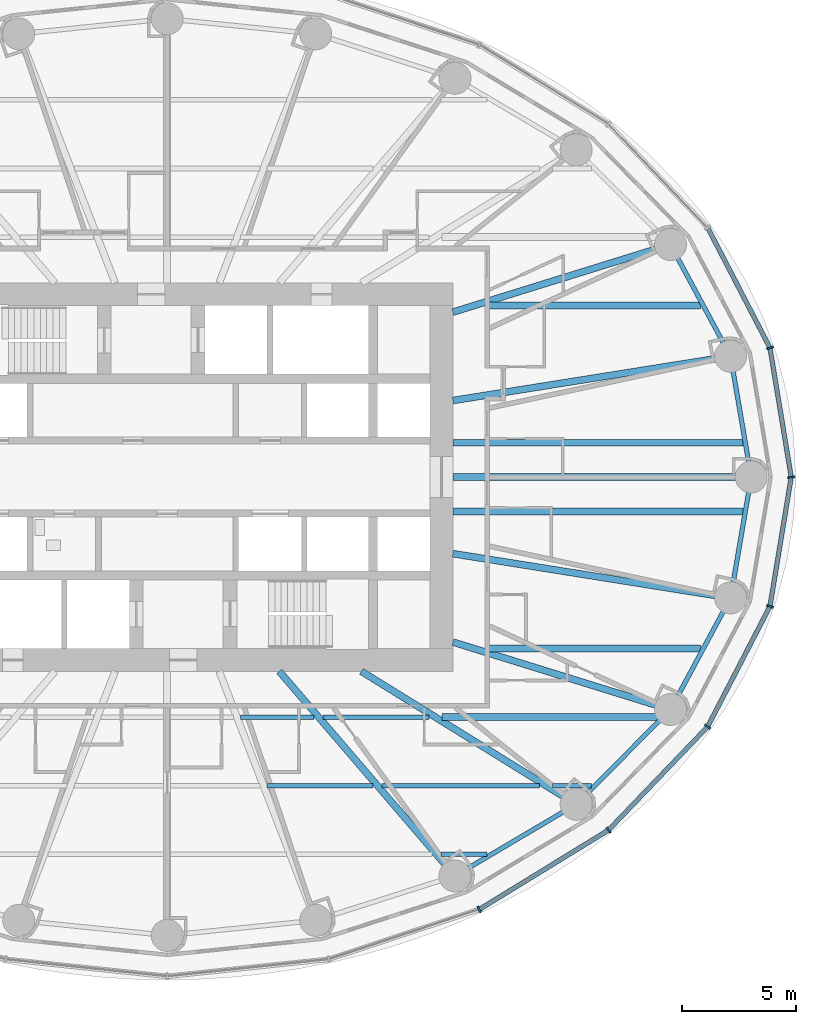
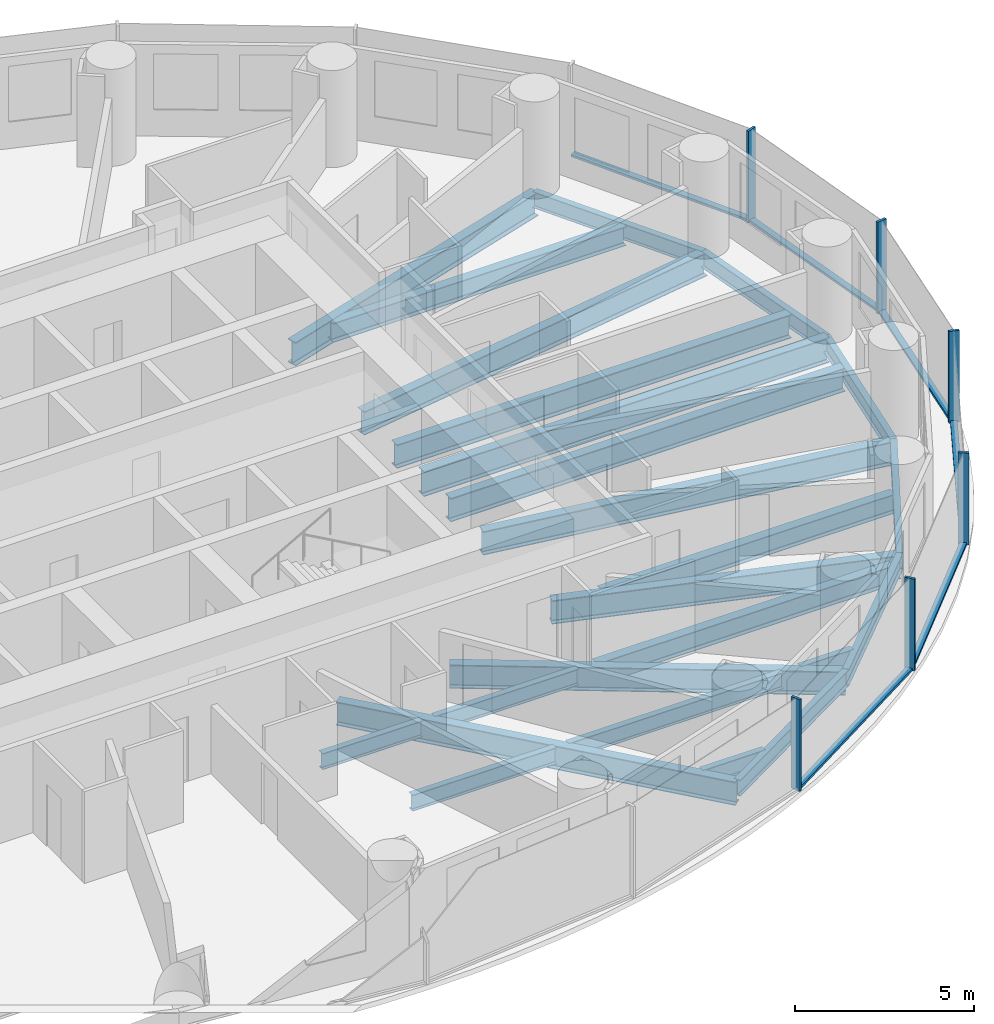
# One storey, part 3 of 16: 24 beams, 12 members, 2 elements without a shape of their own.
"""IFC4 building model written with IfcOpenShell, lengths in metres."""

from ifc_helpers import new_model, si_unit, direction, frame, origin, origin_2d, place, context, subcontext, project, spatial, rectangle, i_section, extrude, material, material_profile, profile_set, type_object, element, aggregate, save


model = new_model("IFC4")

# Units and contexts
model_context = context("Model", 3, precision=1e-05, world=origin(), true_north=direction((0.0, 1.0)))
body_context = subcontext(model_context, "Body", "Model", "MODEL_VIEW")
ifc_project = project(units=[si_unit("LENGTHUNIT", "METRE"), si_unit("AREAUNIT", "SQUARE_METRE"), si_unit("VOLUMEUNIT", "CUBIC_METRE"), si_unit("PLANEANGLEUNIT", "RADIAN"), si_unit("MASSUNIT", "GRAM", prefix="KILO")], contexts=[model_context])

# Site, building, storey
site_placement = place(None, origin())
site = spatial("IfcSite", under=ifc_project, at=site_placement, CompositionType="ELEMENT")
building_placement = place(site_placement, origin())
building = spatial("IfcBuilding", under=site, at=building_placement, Name="Hankou Lantern Tower", CompositionType="ELEMENT")
storey_placement = place(building_placement, frame((0.0, 0.0, 77.10009765625)))
storey = spatial("IfcBuildingStorey", under=building, at=storey_placement, Name="L19", CompositionType="ELEMENT", Elevation=77.10009765625)

# Beams
ifc_material_1 = material(Name="Steel Q355B", Category="steel")
ifc_material_profile_1 = material_profile(ifc_material_1, i_section(OverallWidth=0.199951171875, OverallDepth=0.550048828125, WebThickness=0.010009765625, FlangeThickness=0.01611328125, FilletRadius=0.012939453125, at=origin_2d()), Name="HN550x200x10x16")
ifc_profile_set_1 = profile_set([ifc_material_profile_1], Name="Steel Q355B")
beam_type_1 = type_object("IfcBeamType", Name="EB6 RING BEAM HN550x200x10x16", PredefinedType="SPANDREL", material=ifc_profile_set_1)
beam_1_placement = place(storey_placement, frame((25.550048828125, 0.0, -0.455078125), z_axis=(-0.168489691988, 0.985703415685, 0.0), x_axis=(-0.985703415685, -0.168489691988, 0.0)))
element("IfcBeam", 1, at=beam_1_placement, inside=storey, type_object=beam_type_1, Name="Ring beam R01-R02 L19", PredefinedType="SPANDREL", context=body_context, shape_type="SweptSolid", body=[
    extrude(i_section(OverallWidth=0.199951171875, OverallDepth=0.550048828125, WebThickness=0.010009765625, FlangeThickness=0.01611328125, FilletRadius=0.012939453125, at=origin_2d()), origin(), (0.0, 0.0, 1.0), 5.35986328125),
])
beam_2_placement = place(storey_placement, frame((24.64697265625, 5.283203125, -0.455078125), z_axis=(-0.473609096023, 0.880735161194, 0.0), x_axis=(-0.880735161194, -0.473609096023, 0.0)))
element("IfcBeam", 2, at=beam_2_placement, inside=storey, type_object=beam_type_1, Name="Ring beam R02-R03 L19", PredefinedType="SPANDREL", context=body_context, shape_type="SweptSolid", body=[
    extrude(i_section(OverallWidth=0.199951171875, OverallDepth=0.550048828125, WebThickness=0.010009765625, FlangeThickness=0.01611328125, FilletRadius=0.012939453125, at=origin_2d()), origin(), (0.0, 0.0, 1.0), 5.548828125),
])
beam_3_placement = place(storey_placement, frame((12.5908203125, -17.446533203125, -0.455078125), z_axis=(0.860881533543, 0.508805449268, 0.0), x_axis=(-0.508805449268, 0.860881533543, 0.0)))
element("IfcBeam", 3, at=beam_3_placement, inside=storey, type_object=beam_type_1, Name="Ring beam R21-R22 L19", PredefinedType="SPANDREL", context=body_context, shape_type="SweptSolid", body=[
    extrude(i_section(OverallWidth=0.199951171875, OverallDepth=0.550048828125, WebThickness=0.010009765625, FlangeThickness=0.01611328125, FilletRadius=0.012939453125, at=origin_2d()), origin(), (0.0, 0.0, 1.0), 6.15771484375),
])
beam_4_placement = place(storey_placement, frame((17.891845703125, -14.3134765625, -0.455078125), z_axis=(0.705727798394, 0.708483079949, 0.0), x_axis=(-0.708483079949, 0.705727798394, 0.0)))
element("IfcBeam", 4, at=beam_4_placement, inside=storey, type_object=beam_type_1, Name="Ring beam R22-R23 L19", PredefinedType="SPANDREL", context=body_context, shape_type="SweptSolid", body=[
    extrude(i_section(OverallWidth=0.199951171875, OverallDepth=0.550048828125, WebThickness=0.010009765625, FlangeThickness=0.01611328125, FilletRadius=0.012939453125, at=origin_2d()), origin(), (0.0, 0.0, 1.0), 5.84814453125),
])
beam_5_placement = place(storey_placement, frame((22.01904296875, -10.170166015625, -0.455078125), z_axis=(0.473609096023, 0.880735161194, 0.0), x_axis=(-0.880735161194, 0.473609096023, 0.0)))
element("IfcBeam", 5, at=beam_5_placement, inside=storey, type_object=beam_type_1, Name="Ring beam R23-R24 L19", PredefinedType="SPANDREL", context=body_context, shape_type="SweptSolid", body=[
    extrude(i_section(OverallWidth=0.199951171875, OverallDepth=0.550048828125, WebThickness=0.010009765625, FlangeThickness=0.01611328125, FilletRadius=0.012939453125, at=origin_2d()), origin(), (0.0, 0.0, 1.0), 5.548828125),
])
beam_6_placement = place(storey_placement, frame((24.64697265625, -5.283203125, -0.455078125), z_axis=(0.168489691988, 0.985703415685, 0.0), x_axis=(-0.985703415685, 0.168489691988, 0.0)))
element("IfcBeam", 6, at=beam_6_placement, inside=storey, type_object=beam_type_1, Name="Ring beam R24-R01 L19", PredefinedType="SPANDREL", context=body_context, shape_type="SweptSolid", body=[
    extrude(i_section(OverallWidth=0.199951171875, OverallDepth=0.550048828125, WebThickness=0.010009765625, FlangeThickness=0.01611328125, FilletRadius=0.012939453125, at=origin_2d()), origin(), (0.0, 0.0, 1.0), 5.35986328125),
])

# Curtain wall, members
ifc_material_2 = material(Name="Glass, dark grey tinted laminated", Category="glass")
curtain_wall_type = type_object("IfcCurtainWallType", Name="CWA OUTER SKIN LOW-RISE", PredefinedType="USERDEFINED", material=ifc_material_2)
curtain_wall_1_placement = place(storey_placement, origin())
curtain_wall_1 = element("IfcCurtainWall", 7, at=curtain_wall_1_placement, inside=storey, type_object=curtain_wall_type, Name="CWA L19 OS1", ObjectType="OUTER SKIN LOW-RISE", PredefinedType="USERDEFINED")
ifc_material_3 = material(Name="Aluminium, black anodised", Category="aluminium")
ifc_material_profile_2 = material_profile(ifc_material_3, rectangle(XDim=0.080078125, YDim=0.300048828125, at=origin_2d()), Name="MU1 80X300")
ifc_profile_set_2 = profile_set([ifc_material_profile_2], Name="Aluminium, black anodised")
member_type_1 = type_object("IfcMemberType", Name="MU1 OUTER SKIN MULLION 80X300", PredefinedType="MULLION", material=ifc_profile_set_2)
member_1_placement = place(storey_placement, frame((27.300048828125, 0.0, 0.0), z_axis=(0.0, 0.0, 1.0), x_axis=(-0.162381515188, 0.986728049427, 0.0)))
member_1 = element("IfcMember", 8, at=member_1_placement, type_object=member_type_1, Name="CWA mullion 1", PredefinedType="MULLION", context=body_context, shape_type="SweptSolid", body=[
    extrude(rectangle(XDim=0.080078125, YDim=0.300048828125, at=origin_2d()), origin(), (0.0, 0.0, 1.0), 3.119873046875),
])
member_2_placement = place(storey_placement, frame((26.369873046875, 5.652587890625, 0.0), z_axis=(0.0, 0.0, 1.0), x_axis=(-0.317595577365, 0.94822626479, 0.0)))
member_2 = element("IfcMember", 9, at=member_2_placement, type_object=member_type_1, Name="CWA mullion 2", PredefinedType="MULLION", context=body_context, shape_type="SweptSolid", body=[
    extrude(rectangle(XDim=0.080078125, YDim=0.300048828125, at=origin_2d()), origin(), (0.0, 0.0, 1.0), 3.119873046875),
])

curtain_wall_2_placement = place(storey_placement, origin())
curtain_wall_2 = element("IfcCurtainWall", 10, at=curtain_wall_2_placement, inside=storey, type_object=curtain_wall_type, Name="CWA L19 OS4", ObjectType="OUTER SKIN LOW-RISE", PredefinedType="USERDEFINED")
member_3_placement = place(storey_placement, frame((13.64990234375, -18.9140625, 0.0), z_axis=(0.0, 0.0, 1.0), x_axis=(0.907841299004, 0.419313934686, 0.0)))
member_3 = element("IfcMember", 11, at=member_3_placement, type_object=member_type_1, Name="CWA mullion 3", PredefinedType="MULLION", context=body_context, shape_type="SweptSolid", body=[
    extrude(rectangle(XDim=0.080078125, YDim=0.300048828125, at=origin_2d()), origin(), (0.0, 0.0, 1.0), 3.119873046875),
])
member_4_placement = place(storey_placement, frame((19.303955078125, -15.443115234375, 0.0), z_axis=(0.0, 0.0, 1.0), x_axis=(0.780868809444, 0.624695047553, 0.0)))
member_4 = element("IfcMember", 12, at=member_4_placement, type_object=member_type_1, Name="CWA mullion 4", PredefinedType="MULLION", context=body_context, shape_type="SweptSolid", body=[
    extrude(rectangle(XDim=0.080078125, YDim=0.300048828125, at=origin_2d()), origin(), (0.0, 0.0, 1.0), 3.119873046875),
])
member_5_placement = place(storey_placement, frame((23.642578125, -10.919921875, 0.0), z_axis=(0.0, 0.0, 1.0), x_axis=(0.585205735974, 0.810884854084, 0.0)))
member_5 = element("IfcMember", 13, at=member_5_placement, type_object=member_type_1, Name="CWA mullion 5", PredefinedType="MULLION", context=body_context, shape_type="SweptSolid", body=[
    extrude(rectangle(XDim=0.080078125, YDim=0.300048828125, at=origin_2d()), origin(), (0.0, 0.0, 1.0), 3.119873046875),
])
member_6_placement = place(storey_placement, frame((26.369873046875, -5.652587890625, 0.0), z_axis=(0.0, 0.0, 1.0), x_axis=(0.317595577365, 0.94822626479, 0.0)))
member_6 = element("IfcMember", 14, at=member_6_placement, type_object=member_type_1, Name="CWA mullion 6", PredefinedType="MULLION", context=body_context, shape_type="SweptSolid", body=[
    extrude(rectangle(XDim=0.080078125, YDim=0.300048828125, at=origin_2d()), origin(), (0.0, 0.0, 1.0), 3.119873046875),
])

# Beams
ifc_material_4 = material(Name="Steel Q355B", Category="steel")
ifc_material_profile_3 = material_profile(ifc_material_4, i_section(OverallWidth=0.300048828125, OverallDepth=0.800048828125, WebThickness=0.013916015625, FlangeThickness=0.02587890625, FilletRadius=0.01806640625, at=origin_2d()), Name="HN800x300x14x26")
ifc_profile_set_3 = profile_set([ifc_material_profile_3], Name="Steel Q355B")
beam_type_2 = type_object("IfcBeamType", Name="RB11 RADIAL BEAM HN800x300x14x26", PredefinedType="BEAM", material=ifc_profile_set_3)
beam_7_placement = place(storey_placement, frame((12.5, 3.349365234375, -0.580078125), z_axis=(0.987563081343, 0.157223281893, 0.0), x_axis=(-0.157223281893, 0.987563081343, 0.0)))
element("IfcBeam", 15, at=beam_7_placement, inside=storey, type_object=beam_type_2, Name="Radial beam R02 L19", PredefinedType="BEAM", context=body_context, shape_type="SweptSolid", body=[
    extrude(i_section(OverallWidth=0.300048828125, OverallDepth=0.800048828125, WebThickness=0.013916015625, FlangeThickness=0.02587890625, FilletRadius=0.01806640625, at=origin_2d()), origin(), (0.0, 0.0, 1.0), 12.300048828125),
])
beam_8_placement = place(storey_placement, frame((12.5, 7.216796875, -0.580078125), z_axis=(0.955087327755, 0.29632447817, 0.0), x_axis=(-0.29632447817, 0.955087327755, 0.0)))
element("IfcBeam", 16, at=beam_8_placement, inside=storey, type_object=beam_type_2, Name="Radial beam R03 L19", PredefinedType="BEAM", context=body_context, shape_type="SweptSolid", body=[
    extrude(i_section(OverallWidth=0.300048828125, OverallDepth=0.800048828125, WebThickness=0.013916015625, FlangeThickness=0.02587890625, FilletRadius=0.01806640625, at=origin_2d()), origin(), (0.0, 0.0, 1.0), 9.966552734375),
])
beam_9_placement = place(storey_placement, frame((4.907470703125, -8.5, -0.580078125), z_axis=(0.651519061225, -0.758632264579, 0.0), x_axis=(0.758632264579, 0.651519061225, 0.0)))
element("IfcBeam", 17, at=beam_9_placement, inside=storey, type_object=beam_type_2, Name="Radial beam R21 L19", PredefinedType="BEAM", context=body_context, shape_type="SweptSolid", body=[
    extrude(i_section(OverallWidth=0.300048828125, OverallDepth=0.800048828125, WebThickness=0.013916015625, FlangeThickness=0.02587890625, FilletRadius=0.01806640625, at=origin_2d()), origin(), (0.0, 0.0, 1.0), 11.79296875),
])
beam_10_placement = place(storey_placement, frame((8.5, -8.5, -0.580078125), z_axis=(0.850286343288, -0.526320372414, 0.0), x_axis=(0.526320372414, 0.850286343288, 0.0)))
element("IfcBeam", 18, at=beam_10_placement, inside=storey, type_object=beam_type_2, Name="Radial beam R22 L19", PredefinedType="BEAM", context=body_context, shape_type="SweptSolid", body=[
    extrude(i_section(OverallWidth=0.300048828125, OverallDepth=0.800048828125, WebThickness=0.013916015625, FlangeThickness=0.02587890625, FilletRadius=0.01806640625, at=origin_2d()), origin(), (0.0, 0.0, 1.0), 11.04541015625),
])
beam_11_placement = place(storey_placement, frame((12.5, -7.216796875, -0.580078125), z_axis=(0.955087327755, -0.29632447817, 0.0), x_axis=(0.29632447817, 0.955087327755, 0.0)))
element("IfcBeam", 19, at=beam_11_placement, inside=storey, type_object=beam_type_2, Name="Radial beam R23 L19", PredefinedType="BEAM", context=body_context, shape_type="SweptSolid", body=[
    extrude(i_section(OverallWidth=0.300048828125, OverallDepth=0.800048828125, WebThickness=0.013916015625, FlangeThickness=0.02587890625, FilletRadius=0.01806640625, at=origin_2d()), origin(), (0.0, 0.0, 1.0), 9.966552734375),
])
beam_12_placement = place(storey_placement, frame((12.5, -3.349365234375, -0.580078125), z_axis=(0.987563081343, -0.157223281893, 0.0), x_axis=(0.157223281893, 0.987563081343, 0.0)))
element("IfcBeam", 20, at=beam_12_placement, inside=storey, type_object=beam_type_2, Name="Radial beam R24 L19", PredefinedType="BEAM", context=body_context, shape_type="SweptSolid", body=[
    extrude(i_section(OverallWidth=0.300048828125, OverallDepth=0.800048828125, WebThickness=0.013916015625, FlangeThickness=0.02587890625, FilletRadius=0.01806640625, at=origin_2d()), origin(), (0.0, 0.0, 1.0), 12.300048828125),
])
ifc_material_5 = material(Name="Steel Q355B", Category="steel")
ifc_material_profile_4 = material_profile(ifc_material_5, i_section(OverallWidth=0.300048828125, OverallDepth=0.85009765625, WebThickness=0.01611328125, FlangeThickness=0.027099609375, FilletRadius=0.01806640625, at=origin_2d()), Name="HN850x300x16x27")
ifc_profile_set_4 = profile_set([ifc_material_profile_4], Name="Steel Q355B")
beam_type_3 = type_object("IfcBeamType", Name="RB12 RADIAL BEAM HN850x300x16x27", PredefinedType="BEAM", material=ifc_profile_set_4)
beam_13_placement = place(storey_placement, frame((12.5, 0.0, -0.60498046875), z_axis=(1.0, 0.0, 0.0), x_axis=(0.0, 1.0, 0.0)))
element("IfcBeam", 21, at=beam_13_placement, inside=storey, type_object=beam_type_3, Name="Radial beam R01 L19", PredefinedType="BEAM", context=body_context, shape_type="SweptSolid", body=[
    extrude(i_section(OverallWidth=0.300048828125, OverallDepth=0.85009765625, WebThickness=0.01611328125, FlangeThickness=0.027099609375, FilletRadius=0.01806640625, at=origin_2d()), origin(), (0.0, 0.0, 1.0), 13.050048828125),
])
ifc_material_6 = material(Name="Steel Q355B", Category="steel")
ifc_material_profile_5 = material_profile(ifc_material_6, i_section(OverallWidth=0.300048828125, OverallDepth=0.800048828125, WebThickness=0.013916015625, FlangeThickness=0.02587890625, FilletRadius=0.01806640625, at=origin_2d()), Name="HN800x300x14x26")
ifc_profile_set_5 = profile_set([ifc_material_profile_5], Name="Steel Q355B")
beam_type_4 = type_object("IfcBeamType", Name="SB11 SECONDARY BEAM HN800x300x14x26", PredefinedType="JOIST", material=ifc_profile_set_5)
for number, where, z_axis, x_axis, name in (
    (22, (12.5, -1.5, -0.580078125), (1.0, 0.0, 0.0), (0.0, 1.0, 0.0), "Floor joist J030 L19"),
    (23, (12.5, 1.5, -0.580078125), (1.0, 0.0, 0.0), (0.0, 1.0, 0.0), "Floor joist J032 L19"),
):
    element("IfcBeam", number, at=place(storey_placement, frame(where, z_axis=z_axis, x_axis=x_axis)), inside=storey, type_object=beam_type_4, Name=name, PredefinedType="JOIST", context=body_context, shape_type="SweptSolid", body=[
        extrude(i_section(OverallWidth=0.300048828125, OverallDepth=0.800048828125, WebThickness=0.013916015625, FlangeThickness=0.02587890625, FilletRadius=0.01806640625, at=origin_2d()), origin(), (0.0, 0.0, 1.0), 12.692138671875),
    ])
ifc_material_7 = material(Name="Steel Q355B", Category="steel")
ifc_material_profile_6 = material_profile(ifc_material_7, i_section(OverallWidth=0.199951171875, OverallDepth=0.550048828125, WebThickness=0.010009765625, FlangeThickness=0.01611328125, FilletRadius=0.012939453125, at=origin_2d()), Name="HN550x200x10x16")
ifc_profile_set_6 = profile_set([ifc_material_profile_6], Name="Steel Q355B")
beam_type_5 = type_object("IfcBeamType", Name="SB6 SECONDARY BEAM HN550x200x10x16", PredefinedType="JOIST", material=ifc_profile_set_6)
beam_14_placement = place(storey_placement, frame((11.975830078125, -16.5, -0.455078125), z_axis=(1.0, 0.0, 0.0), x_axis=(0.0, 1.0, 0.0)))
element("IfcBeam", 24, at=beam_14_placement, inside=storey, type_object=beam_type_5, Name="Floor joist J006 L19", PredefinedType="JOIST", context=body_context, shape_type="SweptSolid", body=[
    extrude(i_section(OverallWidth=0.199951171875, OverallDepth=0.550048828125, WebThickness=0.010009765625, FlangeThickness=0.01611328125, FilletRadius=0.012939453125, at=origin_2d()), origin(), (0.0, 0.0, 1.0), 2.019775390625),
])
beam_15_placement = place(storey_placement, frame((4.37451171875, -13.5, -0.455078125), z_axis=(1.0, 0.0, 0.0), x_axis=(0.0, 1.0, 0.0)))
element("IfcBeam", 25, at=beam_15_placement, inside=storey, type_object=beam_type_5, Name="Floor joist J012 L19", PredefinedType="JOIST", context=body_context, shape_type="SweptSolid", body=[
    extrude(i_section(OverallWidth=0.199951171875, OverallDepth=0.550048828125, WebThickness=0.010009765625, FlangeThickness=0.01611328125, FilletRadius=0.012939453125, at=origin_2d()), origin(), (0.0, 0.0, 1.0), 4.62939453125),
])
beam_16_placement = place(storey_placement, frame((9.3994140625, -13.5, -0.455078125), z_axis=(1.0, 0.0, 0.0), x_axis=(0.0, 1.0, 0.0)))
element("IfcBeam", 26, at=beam_16_placement, inside=storey, type_object=beam_type_5, Name="Floor joist J013 L19", PredefinedType="JOIST", context=body_context, shape_type="SweptSolid", body=[
    extrude(i_section(OverallWidth=0.199951171875, OverallDepth=0.550048828125, WebThickness=0.010009765625, FlangeThickness=0.01611328125, FilletRadius=0.012939453125, at=origin_2d()), origin(), (0.0, 0.0, 1.0), 6.893310546875),
])
beam_17_placement = place(storey_placement, frame((16.86279296875, -13.5, -0.455078125), z_axis=(1.0, 0.0, 0.0), x_axis=(0.0, 1.0, 0.0)))
element("IfcBeam", 27, at=beam_17_placement, inside=storey, type_object=beam_type_5, Name="Floor joist J014 L19", PredefinedType="JOIST", context=body_context, shape_type="SweptSolid", body=[
    extrude(i_section(OverallWidth=0.199951171875, OverallDepth=0.550048828125, WebThickness=0.010009765625, FlangeThickness=0.01611328125, FilletRadius=0.012939453125, at=origin_2d()), origin(), (0.0, 0.0, 1.0), 1.697998046875),
])
beam_18_placement = place(storey_placement, frame((3.212890625, -10.5, -0.455078125), z_axis=(1.0, 0.0, 0.0), x_axis=(0.0, 1.0, 0.0)))
element("IfcBeam", 28, at=beam_18_placement, inside=storey, type_object=beam_type_5, Name="Floor joist J020 L19", PredefinedType="JOIST", context=body_context, shape_type="SweptSolid", body=[
    extrude(i_section(OverallWidth=0.199951171875, OverallDepth=0.550048828125, WebThickness=0.010009765625, FlangeThickness=0.01611328125, FilletRadius=0.012939453125, at=origin_2d()), origin(), (0.0, 0.0, 1.0), 3.214599609375),
])
beam_19_placement = place(storey_placement, frame((6.82275390625, -10.5, -0.455078125), z_axis=(1.0, 0.0, 0.0), x_axis=(0.0, 1.0, 0.0)))
element("IfcBeam", 29, at=beam_19_placement, inside=storey, type_object=beam_type_5, Name="Floor joist J021 L19", PredefinedType="JOIST", context=body_context, shape_type="SweptSolid", body=[
    extrude(i_section(OverallWidth=0.199951171875, OverallDepth=0.550048828125, WebThickness=0.010009765625, FlangeThickness=0.01611328125, FilletRadius=0.012939453125, at=origin_2d()), origin(), (0.0, 0.0, 1.0), 4.623291015625),
])
ifc_material_8 = material(Name="Steel Q355B", Category="steel")
ifc_material_profile_7 = material_profile(ifc_material_8, i_section(OverallWidth=0.300048828125, OverallDepth=0.64990234375, WebThickness=0.010986328125, FlangeThickness=0.01708984375, FilletRadius=0.01806640625, at=origin_2d()), Name="HN650x300x11x17")
ifc_profile_set_7 = profile_set([ifc_material_profile_7], Name="Steel Q355B")
beam_type_6 = type_object("IfcBeamType", Name="SB8 SECONDARY BEAM HN650x300x11x17", PredefinedType="JOIST", material=ifc_profile_set_7)
beam_20_placement = place(storey_placement, frame((12.01611328125, -10.5, -0.505126953125), z_axis=(1.0, 0.0, 0.0), x_axis=(0.0, 1.0, 0.0)))
element("IfcBeam", 30, at=beam_20_placement, inside=storey, type_object=beam_type_6, Name="Floor joist J022 L19", PredefinedType="JOIST", context=body_context, shape_type="SweptSolid", body=[
    extrude(i_section(OverallWidth=0.300048828125, OverallDepth=0.64990234375, WebThickness=0.010986328125, FlangeThickness=0.01708984375, FilletRadius=0.01806640625, at=origin_2d()), origin(), (0.0, 0.0, 1.0), 9.533203125),
])
for number, where, z_axis, x_axis, name in (
    (31, (13.918701171875, -7.5, -0.505126953125), (1.0, 0.0, 0.0), (0.0, 1.0, 0.0), "Floor joist J024 L19"),
    (32, (13.918701171875, 7.5, -0.505126953125), (1.0, 0.0, 0.0), (0.0, 1.0, 0.0), "Floor joist J038 L19"),
):
    element("IfcBeam", number, at=place(storey_placement, frame(where, z_axis=z_axis, x_axis=x_axis)), inside=storey, type_object=beam_type_6, Name=name, PredefinedType="JOIST", context=body_context, shape_type="SweptSolid", body=[
        extrude(i_section(OverallWidth=0.300048828125, OverallDepth=0.64990234375, WebThickness=0.010986328125, FlangeThickness=0.01708984375, FilletRadius=0.01806640625, at=origin_2d()), origin(), (0.0, 0.0, 1.0), 9.4228515625),
    ])

# Member
ifc_material_9 = material(Name="Aluminium, black anodised", Category="aluminium")
ifc_material_profile_8 = material_profile(ifc_material_9, rectangle(XDim=0.199951171875, YDim=0.080078125, at=origin_2d()), Name="TR1 200X80")
ifc_profile_set_8 = profile_set([ifc_material_profile_8], Name="Aluminium, black anodised")
member_type_2 = type_object("IfcMemberType", Name="TR1 OUTER SKIN TRANSOM 200X80", PredefinedType="USERDEFINED", material=ifc_profile_set_8)
member_7_placement = place(storey_placement, frame((27.29345703125, 0.03955078125, 0.039794921875), z_axis=(-0.162387045529, 0.986727139307, 0.0), x_axis=(-0.986727139307, -0.162387045529, 0.0)))
member_7 = element("IfcMember", 33, at=member_7_placement, type_object=member_type_2, Name="CWA transom 1", ObjectType="TRANSOM", PredefinedType="USERDEFINED", context=body_context, shape_type="SweptSolid", body=[
    extrude(rectangle(XDim=0.199951171875, YDim=0.080078125, at=origin_2d()), origin(), (0.0, 0.0, 1.0), 5.6484375),
])

member_8_placement = place(storey_placement, frame((26.351318359375, 5.688232421875, 0.039794921875), z_axis=(-0.459786096495, 0.888029698529, 0.0), x_axis=(-0.888029698529, -0.459786096495, 0.0)))
member_8 = element("IfcMember", 34, at=member_8_placement, type_object=member_type_2, Name="CWA transom 2", ObjectType="TRANSOM", PredefinedType="USERDEFINED", context=body_context, shape_type="SweptSolid", body=[
    extrude(rectangle(XDim=0.199951171875, YDim=0.080078125, at=origin_2d()), origin(), (0.0, 0.0, 1.0), 5.8515625),
])

aggregate(curtain_wall_1, [member_1, member_2, member_7, member_8])

member_9_placement = place(storey_placement, frame((13.68408203125, -18.89306640625, 0.039794921875), z_axis=(0.85223969557, 0.523151508929, 0.0), x_axis=(-0.523151508929, 0.85223969557, 0.0)))
member_9 = element("IfcMember", 35, at=member_9_placement, type_object=member_type_2, Name="CWA transom 3", ObjectType="TRANSOM", PredefinedType="USERDEFINED", context=body_context, shape_type="SweptSolid", body=[
    extrude(rectangle(XDim=0.199951171875, YDim=0.080078125, at=origin_2d()), origin(), (0.0, 0.0, 1.0), 6.554443359375),
])

member_10_placement = place(storey_placement, frame((19.331787109375, -15.414306640625, 0.039794921875), z_axis=(0.692215537374, 0.721690827029, 0.0), x_axis=(-0.721690827029, 0.692215537374, 0.0)))
member_10 = element("IfcMember", 36, at=member_10_placement, type_object=member_type_2, Name="CWA transom 4", ObjectType="TRANSOM", PredefinedType="USERDEFINED", context=body_context, shape_type="SweptSolid", body=[
    extrude(rectangle(XDim=0.199951171875, YDim=0.080078125, at=origin_2d()), origin(), (0.0, 0.0, 1.0), 6.187255859375),
])

member_11_placement = place(storey_placement, frame((23.660888671875, -10.884521484375, 0.039794921875), z_axis=(0.459786096495, 0.888029698529, 0.0), x_axis=(-0.888029698529, 0.459786096495, 0.0)))
member_11 = element("IfcMember", 37, at=member_11_placement, type_object=member_type_2, Name="CWA transom 5", ObjectType="TRANSOM", PredefinedType="USERDEFINED", context=body_context, shape_type="SweptSolid", body=[
    extrude(rectangle(XDim=0.199951171875, YDim=0.080078125, at=origin_2d()), origin(), (0.0, 0.0, 1.0), 5.8515625),
])

member_12_placement = place(storey_placement, frame((26.376220703125, -5.613037109375, 0.039794921875), z_axis=(0.162387045529, 0.986727139307, 0.0), x_axis=(-0.986727139307, 0.162387045529, 0.0)))
member_12 = element("IfcMember", 38, at=member_12_placement, type_object=member_type_2, Name="CWA transom 6", ObjectType="TRANSOM", PredefinedType="USERDEFINED", context=body_context, shape_type="SweptSolid", body=[
    extrude(rectangle(XDim=0.199951171875, YDim=0.080078125, at=origin_2d()), origin(), (0.0, 0.0, 1.0), 5.6484375),
])

aggregate(curtain_wall_2, [member_3, member_4, member_5, member_6, member_9, member_10, member_11, member_12])

save(model, "model.ifc")
